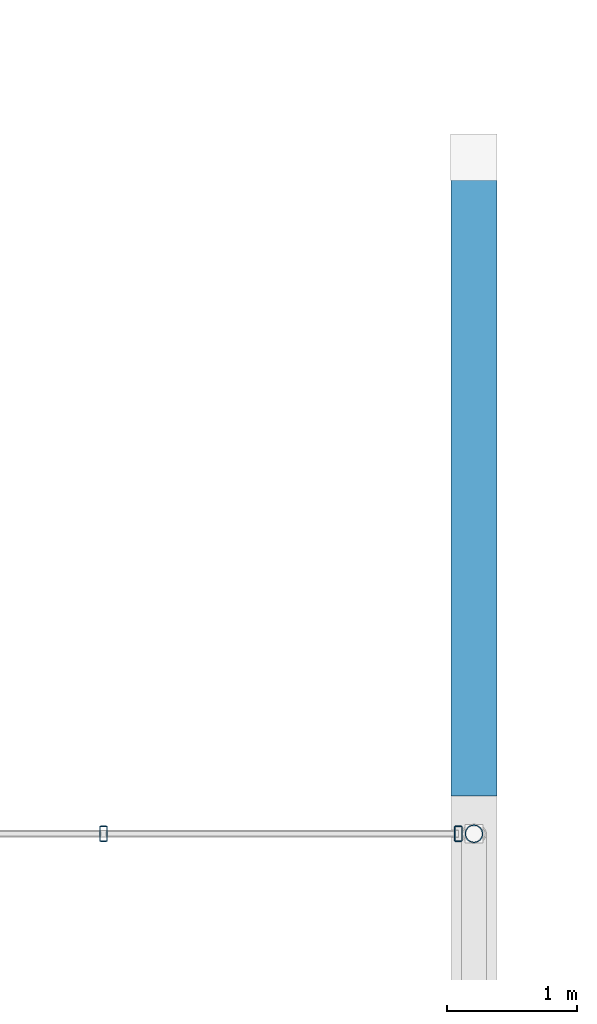
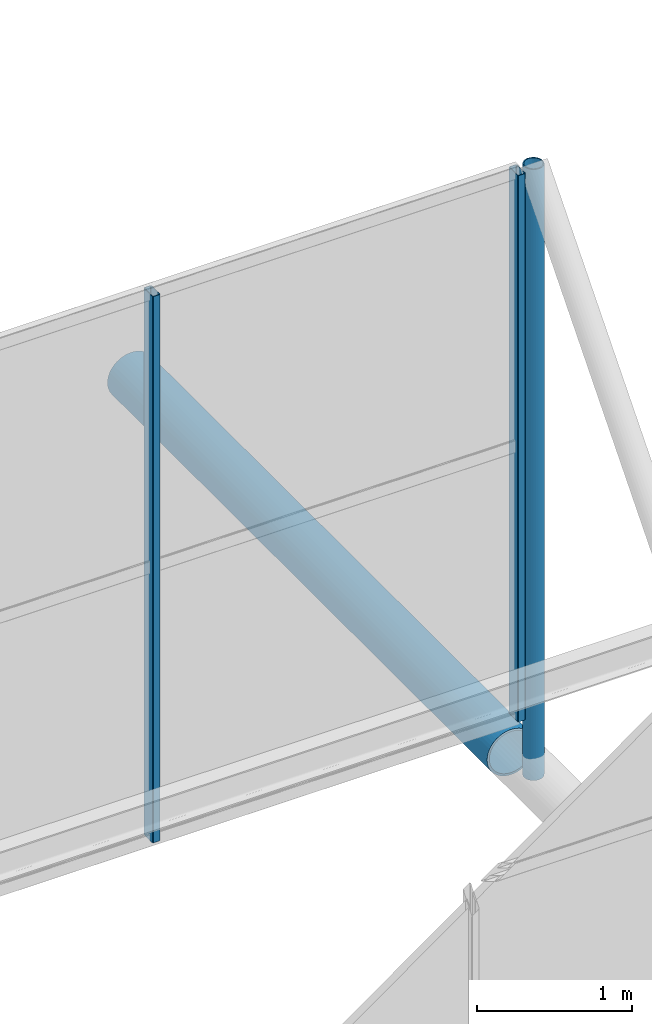
# One storey, part 48 of 77: 4 members, 1 element without a shape of its own.
"""IFC4 building model written with IfcOpenShell, lengths in metres."""

from ifc_helpers import new_model, si_unit, derived_unit, direction, frame, origin, origin_2d, place, context, subcontext, project, spatial, hollow_rectangle, hollow_circle, extrude, material, material_profile, profile_set, type_object, element, aggregate, save


model = new_model("IFC4")

# Units and contexts
model_context = context("Model", 3, precision=1e-05, world=origin(), true_north=direction((0.0, 1.0)))
body_context = subcontext(model_context, "Body", "Model", "MODEL_VIEW")
ifc_project = project(units=[si_unit("LENGTHUNIT", "METRE"), si_unit("AREAUNIT", "SQUARE_METRE"), si_unit("VOLUMEUNIT", "CUBIC_METRE"), si_unit("PLANEANGLEUNIT", "RADIAN"), si_unit("MASSUNIT", "GRAM", prefix="KILO"), derived_unit("THERMALTRANSMITTANCEUNIT", [(si_unit("MASSUNIT", "GRAM", prefix="KILO"), 1), (si_unit("TIMEUNIT", "SECOND"), -3), (si_unit("THERMODYNAMICTEMPERATUREUNIT", "KELVIN"), -1)])], contexts=[model_context])

# Site, building, storey
site_placement = place(None, origin())
site = spatial("IfcSite", under=ifc_project, at=site_placement, CompositionType="ELEMENT")
building_placement = place(site_placement, origin())
building = spatial("IfcBuilding", under=site, at=building_placement, Name="Kharveza Railside Sports Centre", CompositionType="ELEMENT")
storey_placement = place(building_placement, frame((0.0, 0.0, 17.10009765625)))
storey = spatial("IfcBuildingStorey", under=building, at=storey_placement, Name="L04", CompositionType="ELEMENT", Elevation=17.10009765625)

# Curtain wall, members
ifc_material_1 = material(Name="Low-E solar-control laminated glass", Category="glass")
curtain_wall_type = type_object("IfcCurtainWallType", Name="CW-NL01", PredefinedType="NOTDEFINED", material=ifc_material_1)
curtain_wall_placement = place(storey_placement, origin())
curtain_wall = element("IfcCurtainWall", 1, at=curtain_wall_placement, inside=storey, type_object=curtain_wall_type, Name="CW-V1NL-7-5", PredefinedType="NOTDEFINED")
ifc_material_2 = material(Name="Anodised aluminium 6063-T6", Category="aluminium")
ifc_material_profile_1 = material_profile(ifc_material_2, hollow_rectangle(XDim=0.06005859375, YDim=0.1201171875, WallThickness=0.0048828125, InnerFilletRadius=0.0048828125, OuterFilletRadius=0.010009765625, at=origin_2d()), Name="RHS 60x120x5.0")
ifc_profile_set_1 = profile_set([ifc_material_profile_1], Name="Anodised aluminium 6063-T6")
member_type_1 = type_object("IfcMemberType", Name="CW-ML05", PredefinedType="MULLION", material=ifc_profile_set_1)
member_1_placement = place(storey_placement, frame((72.760009765625, 64.800048828125, -0.550048828125), z_axis=(0.0, 0.0, 1.0), x_axis=(1.0, 0.0, 0.0)))
member_1 = element("IfcMember", 2, at=member_1_placement, type_object=member_type_1, Name="CW-V1NL-7-5-ML3", PredefinedType="MULLION", context=body_context, shape_type="SweptSolid", body=[
    extrude(hollow_rectangle(XDim=0.06005859375, YDim=0.1201171875, WallThickness=0.0048828125, InnerFilletRadius=0.0048828125, OuterFilletRadius=0.010009765625, at=origin_2d()), origin(), (0.0, 0.0, 1.0), 4.300048828125),
])
member_2_placement = place(storey_placement, frame((75.47998046875, 64.800048828125, -0.550048828125), z_axis=(0.0, 0.0, 1.0), x_axis=(1.0, 0.0, 0.0)))
member_2 = element("IfcMember", 3, at=member_2_placement, type_object=member_type_1, Name="CW-V1NL-7-5-ML4", PredefinedType="MULLION", context=body_context, shape_type="SweptSolid", body=[
    extrude(hollow_rectangle(XDim=0.06005859375, YDim=0.1201171875, WallThickness=0.0048828125, InnerFilletRadius=0.0048828125, OuterFilletRadius=0.010009765625, at=origin_2d()), origin(), (0.0, 0.0, 1.0), 4.300048828125),
])
aggregate(curtain_wall, [member_1, member_2])

# Members
ifc_material_3 = material(Name="Steel S355J2", Category="steel")
ifc_material_profile_2 = material_profile(ifc_material_3, hollow_circle(Radius=0.177734375, WallThickness=0.01611328125, at=origin_2d()), Name="CHS 355.6x16.0")
ifc_profile_set_2 = profile_set([ifc_material_profile_2], Name="Steel S355J2")
member_type_2 = type_object("IfcMemberType", Name="MB-CH01", PredefinedType="CHORD", material=ifc_profile_set_2)
member_3_placement = place(storey_placement, frame((75.60009765625, 65.08984375, -1.050048828125), z_axis=(0.0, 1.0, 0.0), x_axis=(-1.0, 0.0, 0.0)))
element("IfcMember", 4, at=member_3_placement, inside=storey, type_object=member_type_2, Name="MB-V1TR-TC-6-8", PredefinedType="CHORD", context=body_context, shape_type="SweptSolid", body=[
    extrude(hollow_circle(Radius=0.177734375, WallThickness=0.01611328125, at=origin_2d()), origin(), (0.0, 0.0, 1.0), 4.896728515625),
])
ifc_material_profile_3 = material_profile(ifc_material_3, hollow_circle(Radius=0.06982421875, WallThickness=0.008056640625, at=origin_2d()), Name="CHS 139.7x8.0")
ifc_profile_set_3 = profile_set([ifc_material_profile_3], Name="Steel S355J2")
member_type_3 = type_object("IfcMemberType", Name="MB-ST04", PredefinedType="STRUT", material=ifc_profile_set_3)
member_4_placement = place(storey_placement, frame((75.60009765625, 64.800048828125, -1.050048828125), z_axis=(0.0, 0.0, 1.0), x_axis=(1.0, 0.0, 0.0)))
element("IfcMember", 5, at=member_4_placement, inside=storey, type_object=member_type_3, Name="MB-V1SAW-PST-7-6", PredefinedType="STRUT", context=body_context, shape_type="SweptSolid", body=[
    extrude(hollow_circle(Radius=0.06982421875, WallThickness=0.008056640625, at=origin_2d()), origin(), (0.0, 0.0, 1.0), 4.81005859375),
])

save(model, "model.ifc")
